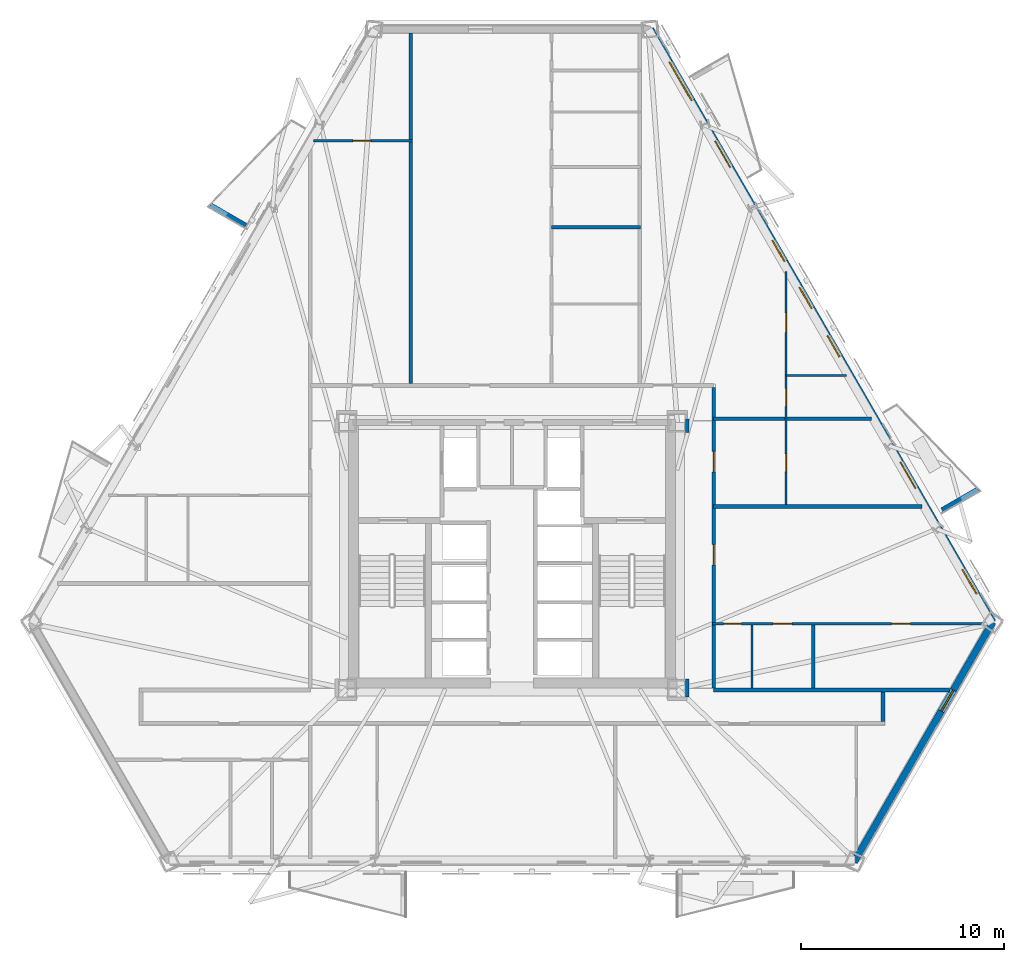
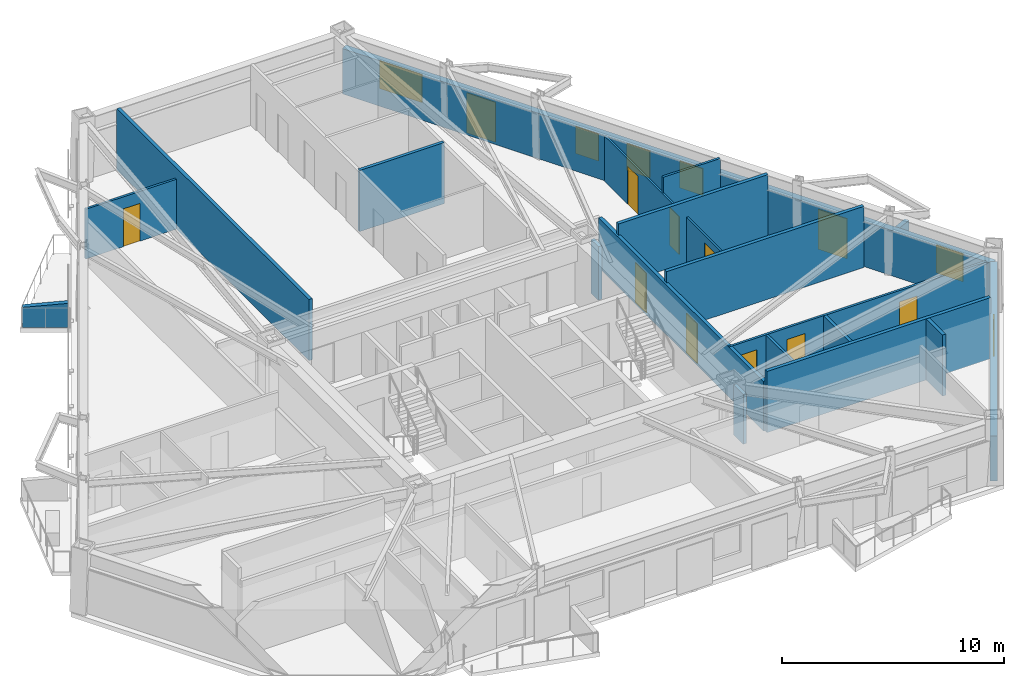
# One storey, part 5 of 10: 19 walls, 11 doors, 6 windows, 17 openings.
"""IFC4 building model written with IfcOpenShell, lengths in metres."""

from ifc_helpers import new_model, si_unit, direction, frame, frame_2d, origin, place, context, subcontext, project, spatial, polyline, rectangle, outline, extrude, material, layer, layer_set, type_object, element, fill, save


model = new_model("IFC4")

# Units and contexts
model_context = context("Model", 3, precision=1e-05, world=origin(), true_north=direction((0.0, 1.0)))
body_context = subcontext(model_context, "Body", "Model", "MODEL_VIEW")
ifc_project = project(units=[si_unit("LENGTHUNIT", "METRE"), si_unit("AREAUNIT", "SQUARE_METRE"), si_unit("VOLUMEUNIT", "CUBIC_METRE"), si_unit("PLANEANGLEUNIT", "RADIAN"), si_unit("MASSUNIT", "GRAM", prefix="KILO")], contexts=[model_context])

# Site, building, storey
site_placement = place(None, origin())
site = spatial("IfcSite", under=ifc_project, at=site_placement, CompositionType="ELEMENT")
building_placement = place(site_placement, origin())
building = spatial("IfcBuilding", under=site, at=building_placement, Name="Oramaril Tower", CompositionType="ELEMENT")
storey_placement = place(building_placement, frame((0.0, 0.0, 66.89990234375)))
storey = spatial("IfcBuildingStorey", under=building, at=storey_placement, Name="L17", CompositionType="ELEMENT", Elevation=66.89990234375)

# Wall, opening, window
ifc_material_1 = material(Name="Warm Cream Limestone", Category="masonry")
ifc_layer_1 = layer(ifc_material_1, 0.340087890625)
ifc_layer_set_1 = layer_set([ifc_layer_1], Name="WT-EXT34")
wall_type_1 = type_object("IfcWallType", Name="WT-EXT34", PredefinedType="SOLIDWALL", material=ifc_layer_set_1)
wall_1_placement = place(storey_placement, frame((54.3818359375, 2.4658203125, 0.0), z_axis=(0.0, 0.0, 1.0), x_axis=(0.499986980295, 0.866032920584, 0.0)))
wall_1 = element("IfcWall", 1, at=wall_1_placement, inside=storey, type_object=wall_type_1, Name="L17 Tower Limestone Facade Wall 3M", PredefinedType="SOLIDWALL", context=body_context, shape_type="SweptSolid", body=[
    extrude(rectangle(XDim=13.661376953125, YDim=0.340087890625, at=frame_2d((6.83056640625, 0.0))), origin(), (0.0, 0.0, 1.0), 2.494140625),
])
opening_1_placement = place(wall_1_placement, frame((8.5869140625, 0.0, 0.85009765625)))
opening_1 = element("IfcOpeningElement", 2, at=opening_1_placement, cuts=wall_1, Name="Opening WN-09", PredefinedType="OPENING", context=body_context, shape_type="SweptSolid", body=[
    extrude(rectangle(XDim=1.199951171875, YDim=1.47998046875, at=frame_2d((0.60009765625, 0.739990234375))), frame((0.0, 0.169921875, 0.0), z_axis=(0.0, -1.0, 0.0), x_axis=(1.0, 0.0, 0.0)), (0.0, 0.0, 1.0), 0.340087890625),
])
ifc_material_2 = material(Name="Coastal Low-E Insulated Glass", Category="glass")
window_type_1 = type_object("IfcWindowType", Name="WNT-09", PartitioningType="SINGLE_PANEL", PredefinedType="WINDOW", material=ifc_material_2)
window_1_placement = place(opening_1_placement, origin())
window_1 = element("IfcWindow", 3, at=window_1_placement, inside=storey, type_object=window_type_1, Name="L17 Apartment Bedroom Window WN-09", OverallHeight=1.47998046875, OverallWidth=1.199951171875, PartitioningType="SINGLE_PANEL", PredefinedType="WINDOW", context=body_context, shape_type="SweptSolid", body=[
    extrude(rectangle(XDim=1.199951171875, YDim=1.47998046875, at=frame_2d((0.60009765625, 0.739990234375))), frame((0.0, 0.030029296875, 0.0), z_axis=(0.0, -1.0, 0.0), x_axis=(1.0, 0.0, 0.0)), (0.0, 0.0, 1.0), 0.06005859375),
])
fill(opening_1, window_1)

# Wall, openings, doors, windows
wall_2_placement = place(storey_placement, frame((61.21240234375, 14.297119140625, 0.0), z_axis=(0.0, 0.0, 1.0), x_axis=(-0.499997235847, 0.866026999663, 0.0)))
wall_2 = element("IfcWall", 4, at=wall_2_placement, inside=storey, type_object=wall_type_1, Name="L17 Tower Limestone Facade Wall 4M", PredefinedType="SOLIDWALL", context=body_context, shape_type="SweptSolid", body=[
    extrude(rectangle(XDim=33.763427734375, YDim=0.340087890625, at=frame_2d((16.8818359375, 0.0))), origin(), (0.0, 0.0, 1.0), 2.494140625),
])
opening_2_placement = place(wall_2_placement, frame((7.614501953125, 0.0, 0.0)))
opening_2 = element("IfcOpeningElement", 5, at=opening_2_placement, cuts=wall_2, Name="Opening D-L17-BAL-NE1", PredefinedType="OPENING", context=body_context, shape_type="SweptSolid", body=[
    extrude(rectangle(XDim=1.5, YDim=2.199951171875, at=frame_2d((0.75, 1.10009765625))), frame((0.0, 0.169921875, 0.0), z_axis=(0.0, -1.0, 0.0), x_axis=(1.0, 0.0, 0.0)), (0.0, 0.0, 1.0), 0.340087890625),
])
opening_3_placement = place(wall_2_placement, frame((25.89404296875, 0.0, 0.0)))
opening_3 = element("IfcOpeningElement", 6, at=opening_3_placement, cuts=wall_2, Name="Opening D-L17-BAL-NE2", PredefinedType="OPENING", context=body_context, shape_type="SweptSolid", body=[
    extrude(rectangle(XDim=1.5, YDim=2.199951171875, at=frame_2d((0.75, 1.10009765625))), frame((0.0, 0.169921875, 0.0), z_axis=(0.0, -1.0, 0.0), x_axis=(1.0, 0.0, 0.0)), (0.0, 0.0, 1.0), 0.340087890625),
])
opening_4_placement = place(wall_2_placement, frame((1.594482421875, 0.0, 0.85009765625)))
opening_4 = element("IfcOpeningElement", 7, at=opening_4_placement, cuts=wall_2, Name="Opening WN-08", PredefinedType="OPENING", context=body_context, shape_type="SweptSolid", body=[
    extrude(rectangle(XDim=1.39990234375, YDim=1.533935546875, at=frame_2d((0.699951171875, 0.76708984375))), frame((0.0, 0.169921875, 0.0), z_axis=(0.0, -1.0, 0.0), x_axis=(1.0, 0.0, 0.0)), (0.0, 0.0, 1.0), 0.340087890625),
])
opening_5_placement = place(wall_2_placement, frame((20.532958984375, 0.0, 0.85009765625)))
opening_5 = element("IfcOpeningElement", 8, at=opening_5_placement, cuts=wall_2, Name="Opening WN-09", PredefinedType="OPENING", context=body_context, shape_type="SweptSolid", body=[
    extrude(rectangle(XDim=1.199951171875, YDim=1.47998046875, at=frame_2d((0.60009765625, 0.739990234375))), frame((0.0, 0.169921875, 0.0), z_axis=(0.0, -1.0, 0.0), x_axis=(1.0, 0.0, 0.0)), (0.0, 0.0, 1.0), 0.340087890625),
])
opening_6_placement = place(wall_2_placement, frame((29.7001953125, 0.0, 0.85009765625)))
opening_6 = element("IfcOpeningElement", 9, at=opening_6_placement, cuts=wall_2, Name="Opening WN-04", PredefinedType="OPENING", context=body_context, shape_type="SweptSolid", body=[
    extrude(rectangle(XDim=2.199951171875, YDim=1.533935546875, at=frame_2d((1.10009765625, 0.76708984375))), frame((0.0, 0.169921875, 0.0), z_axis=(0.0, -1.0, 0.0), x_axis=(1.0, 0.0, 0.0)), (0.0, 0.0, 1.0), 0.340087890625),
])
opening_7_placement = place(wall_2_placement, frame((15.1123046875, 0.0, 0.85009765625)))
opening_7 = element("IfcOpeningElement", 10, at=opening_7_placement, cuts=wall_2, Name="Opening WN-09", PredefinedType="OPENING", context=body_context, shape_type="SweptSolid", body=[
    extrude(rectangle(XDim=1.199951171875, YDim=1.47998046875, at=frame_2d((0.60009765625, 0.739990234375))), frame((0.0, 0.169921875, 0.0), z_axis=(0.0, -1.0, 0.0), x_axis=(1.0, 0.0, 0.0)), (0.0, 0.0, 1.0), 0.340087890625),
])
opening_8_placement = place(wall_2_placement, frame((17.864013671875, 0.0, 0.85009765625)))
opening_8 = element("IfcOpeningElement", 11, at=opening_8_placement, cuts=wall_2, Name="Opening WN-09", PredefinedType="OPENING", context=body_context, shape_type="SweptSolid", body=[
    extrude(rectangle(XDim=1.199951171875, YDim=1.47998046875, at=frame_2d((0.60009765625, 0.739990234375))), frame((0.0, 0.169921875, 0.0), z_axis=(0.0, -1.0, 0.0), x_axis=(1.0, 0.0, 0.0)), (0.0, 0.0, 1.0), 0.340087890625),
])
ifc_material_3 = material(Name="Anodised Aluminium 6063-T6", Category="aluminium")
door_type_1 = type_object("IfcDoorType", Name="DT-BAL", OperationType="NOTDEFINED", PredefinedType="DOOR", material=ifc_material_3)
door_1_placement = place(opening_2_placement, origin())
door_1 = element("IfcDoor", 12, at=door_1_placement, inside=storey, type_object=door_type_1, Name="L17 Balcony Glazed Door L17-BAL-NE1", OperationType="SINGLE_SWING_RIGHT", OverallHeight=2.199951171875, OverallWidth=1.5, PredefinedType="DOOR", context=body_context, shape_type="SweptSolid", body=[
    extrude(rectangle(XDim=1.5, YDim=2.199951171875, at=frame_2d((0.75, 1.10009765625))), frame((0.0, 0.02490234375, 0.0), z_axis=(0.0, -1.0, 0.0), x_axis=(1.0, 0.0, 0.0)), (0.0, 0.0, 1.0), 0.050048828125),
])
fill(opening_2, door_1)
door_2_placement = place(opening_3_placement, origin())
door_2 = element("IfcDoor", 13, at=door_2_placement, inside=storey, type_object=door_type_1, Name="L17 Balcony Glazed Door L17-BAL-NE2", OperationType="SINGLE_SWING_LEFT", OverallHeight=2.199951171875, OverallWidth=1.5, PredefinedType="DOOR", context=body_context, shape_type="SweptSolid", body=[
    extrude(rectangle(XDim=1.5, YDim=2.199951171875, at=frame_2d((0.75, 1.10009765625))), frame((0.0, 0.02490234375, 0.0), z_axis=(0.0, -1.0, 0.0), x_axis=(1.0, 0.0, 0.0)), (0.0, 0.0, 1.0), 0.050048828125),
])
fill(opening_3, door_2)
ifc_material_4 = material(Name="Coastal Low-E Insulated Glass", Category="glass")
window_type_2 = type_object("IfcWindowType", Name="WNT-04", PartitioningType="SINGLE_PANEL", PredefinedType="WINDOW", material=ifc_material_4)
window_2_placement = place(opening_6_placement, origin())
window_2 = element("IfcWindow", 14, at=window_2_placement, inside=storey, type_object=window_type_2, Name="L17 Chicago Bay Window WN-04", OverallHeight=1.533935546875, OverallWidth=2.199951171875, PartitioningType="SINGLE_PANEL", PredefinedType="WINDOW", context=body_context, shape_type="SweptSolid", body=[
    extrude(rectangle(XDim=2.199951171875, YDim=1.533935546875, at=frame_2d((1.10009765625, 0.76708984375))), frame((0.0, 0.030029296875, 0.0), z_axis=(0.0, -1.0, 0.0), x_axis=(1.0, 0.0, 0.0)), (0.0, 0.0, 1.0), 0.06005859375),
])
fill(opening_6, window_2)
ifc_material_5 = material(Name="Coastal Low-E Insulated Glass", Category="glass")
window_type_3 = type_object("IfcWindowType", Name="WNT-08", PartitioningType="SINGLE_PANEL", PredefinedType="WINDOW", material=ifc_material_5)
window_3_placement = place(opening_4_placement, origin())
window_3 = element("IfcWindow", 15, at=window_3_placement, inside=storey, type_object=window_type_3, Name="L17 Chicago Bay Window WN-08", OverallHeight=1.533935546875, OverallWidth=1.39990234375, PartitioningType="SINGLE_PANEL", PredefinedType="WINDOW", context=body_context, shape_type="SweptSolid", body=[
    extrude(rectangle(XDim=1.39990234375, YDim=1.533935546875, at=frame_2d((0.699951171875, 0.76708984375))), frame((0.0, 0.030029296875, 0.0), z_axis=(0.0, -1.0, 0.0), x_axis=(1.0, 0.0, 0.0)), (0.0, 0.0, 1.0), 0.06005859375),
])
fill(opening_4, window_3)
window_4_placement = place(opening_5_placement, origin())
window_4 = element("IfcWindow", 16, at=window_4_placement, inside=storey, type_object=window_type_1, Name="L17 Chicago Bay Window WN-09", OverallHeight=1.47998046875, OverallWidth=1.199951171875, PartitioningType="SINGLE_PANEL", PredefinedType="WINDOW", context=body_context, shape_type="SweptSolid", body=[
    extrude(rectangle(XDim=1.199951171875, YDim=1.47998046875, at=frame_2d((0.60009765625, 0.739990234375))), frame((0.0, 0.030029296875, 0.0), z_axis=(0.0, -1.0, 0.0), x_axis=(1.0, 0.0, 0.0)), (0.0, 0.0, 1.0), 0.06005859375),
])
fill(opening_5, window_4)
window_5_placement = place(opening_7_placement, origin())
window_5 = element("IfcWindow", 17, at=window_5_placement, inside=storey, type_object=window_type_1, Name="L17 Chicago Bay Window WN-09", OverallHeight=1.47998046875, OverallWidth=1.199951171875, PartitioningType="SINGLE_PANEL", PredefinedType="WINDOW", context=body_context, shape_type="SweptSolid", body=[
    extrude(rectangle(XDim=1.199951171875, YDim=1.47998046875, at=frame_2d((0.60009765625, 0.739990234375))), frame((0.0, 0.030029296875, 0.0), z_axis=(0.0, -1.0, 0.0), x_axis=(1.0, 0.0, 0.0)), (0.0, 0.0, 1.0), 0.06005859375),
])
fill(opening_7, window_5)
window_6_placement = place(opening_8_placement, origin())
window_6 = element("IfcWindow", 18, at=window_6_placement, inside=storey, type_object=window_type_1, Name="L17 Chicago Bay Window WN-09", OverallHeight=1.47998046875, OverallWidth=1.199951171875, PartitioningType="SINGLE_PANEL", PredefinedType="WINDOW", context=body_context, shape_type="SweptSolid", body=[
    extrude(rectangle(XDim=1.199951171875, YDim=1.47998046875, at=frame_2d((0.60009765625, 0.739990234375))), frame((0.0, 0.030029296875, 0.0), z_axis=(0.0, -1.0, 0.0), x_axis=(1.0, 0.0, 0.0)), (0.0, 0.0, 1.0), 0.06005859375),
])
fill(opening_8, window_6)

# Walls
ifc_material_6 = material(Name="Concrete C40/50", Category="concrete")
ifc_layer_2 = layer(ifc_material_6, 0.22998046875)
ifc_layer_set_2 = layer_set([ifc_layer_2], Name="WT-PRP23")
wall_type_2 = type_object("IfcWallType", Name="WT-PRP23", PredefinedType="PARAPET", material=ifc_layer_set_2)
for number, where, z_axis, x_axis, name in (
    (19, (58.710693359375, 19.826416015625, 0.0), (0.0, 0.0, 1.0), (0.866012356593, 0.500022597718, 0.0), "L17 Trapezoidal Balcony Frame Cheek L17-BAL-NE1-L"),
    (20, (24.38671875, 33.851318359375, 0.0), (0.0, 0.0, 1.0), (-0.866012356593, 0.500022597718, 0.0), "L17 Trapezoidal Balcony Frame Cheek L17-BAL-NW1-R"),
):
    element("IfcWall", number, at=place(storey_placement, frame(where, z_axis=z_axis, x_axis=x_axis)), inside=storey, type_object=wall_type_2, Name=name, PredefinedType="PARAPET", context=body_context, shape_type="SweptSolid", body=[
        extrude(outline(polyline([(0.0, 0.0), (2.0419921875, 0.0), (2.0419921875, 1.10009765625), (0.0, 1.320068359375), (0.0, 0.0)])), frame((0.0, 0.114990234375, 0.0), z_axis=(0.0, -1.0, 0.0), x_axis=(1.0, 0.0, 0.0)), (0.0, 0.0, 1.0), 0.22998046875),
    ])

# Wall, openings, doors
ifc_material_7 = material(Name="Acoustic Gypsum Board Partition")
ifc_layer_3 = layer(ifc_material_7, 0.10009765625)
ifc_layer_set_3 = layer_set([ifc_layer_3], Name="WT-PT10")
wall_type_3 = type_object("IfcWallType", Name="WT-PT10", PredefinedType="PARTITIONING", material=ifc_layer_set_3)
wall_3_placement = place(storey_placement, frame((51.02001953125, 20.093994140625, 0.0), z_axis=(0.0, 0.0, 1.0), x_axis=(0.0, 1.0, 0.0)))
wall_3 = element("IfcWall", 21, at=wall_3_placement, inside=storey, type_object=wall_type_3, Name="L17 Interior Partition PT-10", PredefinedType="PARTITIONING", context=body_context, shape_type="SweptSolid", body=[
    extrude(rectangle(XDim=11.5087890625, YDim=0.10009765625, at=frame_2d((5.75439453125, 0.0))), origin(), (0.0, 0.0, 1.0), 2.494140625),
])
opening_9_placement = place(wall_3_placement, frame((4.841064453125, 0.0, 0.0)))
opening_9 = element("IfcOpeningElement", 22, at=opening_9_placement, cuts=wall_3, Name="Opening D-L17-27", PredefinedType="OPENING", context=body_context, shape_type="SweptSolid", body=[
    extrude(rectangle(XDim=0.8798828125, YDim=2.080078125, at=frame_2d((0.43994140625, 1.0400390625))), frame((0.0, 0.050048828125, 0.0), z_axis=(0.0, -1.0, 0.0), x_axis=(1.0, 0.0, 0.0)), (0.0, 0.0, 1.0), 0.10009765625),
])
opening_10_placement = place(wall_3_placement, frame((8.49951171875, 0.0, 0.0)))
opening_10 = element("IfcOpeningElement", 23, at=opening_10_placement, cuts=wall_3, Name="Opening D-L17-28", PredefinedType="OPENING", context=body_context, shape_type="SweptSolid", body=[
    extrude(rectangle(XDim=0.949951171875, YDim=2.10009765625, at=frame_2d((0.47509765625, 1.050048828125))), frame((0.0, 0.050048828125, 0.0), z_axis=(0.0, -1.0, 0.0), x_axis=(1.0, 0.0, 0.0)), (0.0, 0.0, 1.0), 0.10009765625),
])
opening_11_placement = place(wall_3_placement, frame((1.6259765625, 0.0, 0.0)))
opening_11 = element("IfcOpeningElement", 24, at=opening_11_placement, cuts=wall_3, Name="Opening D-L17-29", PredefinedType="OPENING", context=body_context, shape_type="SweptSolid", body=[
    extrude(rectangle(XDim=0.8798828125, YDim=2.080078125, at=frame_2d((0.43994140625, 1.0400390625))), frame((0.0, 0.050048828125, 0.0), z_axis=(0.0, -1.0, 0.0), x_axis=(1.0, 0.0, 0.0)), (0.0, 0.0, 1.0), 0.10009765625),
])
ifc_material_8 = material(Name="FSC Brazilian Freijo Hardwood", Category="wood")
door_type_2 = type_object("IfcDoorType", Name="DT-BATH", OperationType="NOTDEFINED", PredefinedType="DOOR", material=ifc_material_8)
door_3_placement = place(opening_9_placement, origin())
door_3 = element("IfcDoor", 25, at=door_3_placement, inside=storey, type_object=door_type_2, Name="L17 Flat L17-U9 Bathroom Door D-L17-27", OperationType="SINGLE_SWING_RIGHT", OverallHeight=2.080078125, OverallWidth=0.8798828125, PredefinedType="DOOR", context=body_context, shape_type="SweptSolid", body=[
    extrude(rectangle(XDim=0.8798828125, YDim=2.080078125, at=frame_2d((0.43994140625, 1.0400390625))), frame((0.0, 0.02490234375, 0.0), z_axis=(0.0, -1.0, 0.0), x_axis=(1.0, 0.0, 0.0)), (0.0, 0.0, 1.0), 0.050048828125),
])
fill(opening_9, door_3)
door_4_placement = place(opening_11_placement, origin())
door_4 = element("IfcDoor", 26, at=door_4_placement, inside=storey, type_object=door_type_2, Name="L17 Flat L17-U6 Bathroom Door D-L17-29", OperationType="SINGLE_SWING_RIGHT", OverallHeight=2.080078125, OverallWidth=0.8798828125, PredefinedType="DOOR", context=body_context, shape_type="SweptSolid", body=[
    extrude(rectangle(XDim=0.8798828125, YDim=2.080078125, at=frame_2d((0.43994140625, 1.0400390625))), frame((0.0, 0.02490234375, 0.0), z_axis=(0.0, -1.0, 0.0), x_axis=(1.0, 0.0, 0.0)), (0.0, 0.0, 1.0), 0.050048828125),
])
fill(opening_11, door_4)
ifc_material_9 = material(Name="FSC Brazilian Freijo Hardwood", Category="wood")
door_type_3 = type_object("IfcDoorType", Name="DT-STDY", OperationType="NOTDEFINED", PredefinedType="DOOR", material=ifc_material_9)
door_5_placement = place(opening_10_placement, origin())
door_5 = element("IfcDoor", 27, at=door_5_placement, inside=storey, type_object=door_type_3, Name="L17 Flat L17-U9 Kitchen Door D-L17-28", OperationType="SINGLE_SWING_LEFT", OverallHeight=2.10009765625, OverallWidth=0.949951171875, PredefinedType="DOOR", context=body_context, shape_type="SweptSolid", body=[
    extrude(rectangle(XDim=0.949951171875, YDim=2.10009765625, at=frame_2d((0.47509765625, 1.050048828125))), frame((0.0, 0.02490234375, 0.0), z_axis=(0.0, -1.0, 0.0), x_axis=(1.0, 0.0, 0.0)), (0.0, 0.0, 1.0), 0.050048828125),
])
fill(opening_10, door_5)

ifc_material_10 = material(Name="Acoustic Gypsum Board Partition")
ifc_layer_4 = layer(ifc_material_10, 0.1201171875)
ifc_layer_set_4 = layer_set([ifc_layer_4], Name="WT-PT12")
wall_type_4 = type_object("IfcWallType", Name="WT-PT12", PredefinedType="PARTITIONING", material=ifc_layer_set_4)
wall_4_placement = place(storey_placement, frame((47.39990234375, 14.2099609375, 0.0), z_axis=(0.0, 0.0, 1.0), x_axis=(1.0, 0.0, 0.0)))
wall_4 = element("IfcWall", 28, at=wall_4_placement, inside=storey, type_object=wall_type_4, Name="L17 Interior Partition PT-12", PredefinedType="PARTITIONING", context=body_context, shape_type="SweptSolid", body=[
    extrude(rectangle(XDim=13.36767578125, YDim=0.1201171875, at=frame_2d((6.683837890625, 0.0))), origin(), (0.0, 0.0, 1.0), 2.738037109375),
])
opening_12_placement = place(wall_4_placement, frame((0.5400390625, 0.0, 0.0)))
opening_12 = element("IfcOpeningElement", 29, at=opening_12_placement, cuts=wall_4, Name="Opening D-L17-07", PredefinedType="OPENING", context=body_context, shape_type="SweptSolid", body=[
    extrude(rectangle(XDim=0.8798828125, YDim=2.080078125, at=frame_2d((0.43994140625, 1.0400390625))), frame((0.0, 0.06005859375, 0.0), z_axis=(0.0, -1.0, 0.0), x_axis=(1.0, 0.0, 0.0)), (0.0, 0.0, 1.0), 0.1201171875),
])
opening_13_placement = place(wall_4_placement, frame((2.97412109375, 0.0, 0.0)))
opening_13 = element("IfcOpeningElement", 30, at=opening_13_placement, cuts=wall_4, Name="Opening D-L17-08", PredefinedType="OPENING", context=body_context, shape_type="SweptSolid", body=[
    extrude(rectangle(XDim=0.949951171875, YDim=2.10009765625, at=frame_2d((0.47509765625, 1.050048828125))), frame((0.0, 0.06005859375, 0.0), z_axis=(0.0, -1.0, 0.0), x_axis=(1.0, 0.0, 0.0)), (0.0, 0.0, 1.0), 0.1201171875),
])
opening_14_placement = place(wall_4_placement, frame((8.828125, 0.0, 0.0)))
opening_14 = element("IfcOpeningElement", 31, at=opening_14_placement, cuts=wall_4, Name="Opening D-L17-09", PredefinedType="OPENING", context=body_context, shape_type="SweptSolid", body=[
    extrude(rectangle(XDim=0.919921875, YDim=2.1201171875, at=frame_2d((0.4599609375, 1.06005859375))), frame((0.0, 0.06005859375, 0.0), z_axis=(0.0, -1.0, 0.0), x_axis=(1.0, 0.0, 0.0)), (0.0, 0.0, 1.0), 0.1201171875),
])
door_6_placement = place(opening_12_placement, origin())
door_6 = element("IfcDoor", 32, at=door_6_placement, inside=storey, type_object=door_type_2, Name="L17 Flat L17-U5 Bathroom Door D-L17-07", OperationType="SINGLE_SWING_RIGHT", OverallHeight=2.080078125, OverallWidth=0.8798828125, PredefinedType="DOOR", context=body_context, shape_type="SweptSolid", body=[
    extrude(rectangle(XDim=0.8798828125, YDim=2.080078125, at=frame_2d((0.43994140625, 1.0400390625))), frame((0.0, 0.02490234375, 0.0), z_axis=(0.0, -1.0, 0.0), x_axis=(1.0, 0.0, 0.0)), (0.0, 0.0, 1.0), 0.050048828125),
])
fill(opening_12, door_6)
ifc_material_11 = material(Name="FSC Brazilian Freijo Hardwood", Category="wood")
door_type_4 = type_object("IfcDoorType", Name="DT-BED", OperationType="NOTDEFINED", PredefinedType="DOOR", material=ifc_material_11)
door_7_placement = place(opening_14_placement, origin())
door_7 = element("IfcDoor", 33, at=door_7_placement, inside=storey, type_object=door_type_4, Name="L17 Flat L17-U5 Master Bedroom Door D-L17-09", OperationType="SINGLE_SWING_RIGHT", OverallHeight=2.1201171875, OverallWidth=0.919921875, PredefinedType="DOOR", context=body_context, shape_type="SweptSolid", body=[
    extrude(rectangle(XDim=0.919921875, YDim=2.1201171875, at=frame_2d((0.4599609375, 1.06005859375))), frame((0.0, 0.02490234375, 0.0), z_axis=(0.0, -1.0, 0.0), x_axis=(1.0, 0.0, 0.0)), (0.0, 0.0, 1.0), 0.050048828125),
])
fill(opening_14, door_7)
door_8_placement = place(opening_13_placement, origin())
door_8 = element("IfcDoor", 34, at=door_8_placement, inside=storey, type_object=door_type_3, Name="L17 Flat L17-U5 Kitchen Door D-L17-08", OperationType="SINGLE_SWING_LEFT", OverallHeight=2.10009765625, OverallWidth=0.949951171875, PredefinedType="DOOR", context=body_context, shape_type="SweptSolid", body=[
    extrude(rectangle(XDim=0.949951171875, YDim=2.10009765625, at=frame_2d((0.47509765625, 1.050048828125))), frame((0.0, 0.02490234375, 0.0), z_axis=(0.0, -1.0, 0.0), x_axis=(1.0, 0.0, 0.0)), (0.0, 0.0, 1.0), 0.050048828125),
])
fill(opening_13, door_8)

# Wall
wall_5_placement = place(storey_placement, frame((51.0224609375, 26.4599609375, 0.0), z_axis=(0.0, 0.0, 1.0), x_axis=(1.0, 0.0, 0.0)))
element("IfcWall", 35, at=wall_5_placement, inside=storey, type_object=wall_type_4, Name="L17 Interior Partition PT-12", PredefinedType="PARTITIONING", context=body_context, shape_type="SweptSolid", body=[
    extrude(rectangle(XDim=2.966796875, YDim=0.1201171875, at=frame_2d((1.4833984375, 0.0))), origin(), (0.0, 0.0, 1.0), 3.360107421875),
])

# Wall, opening, door
wall_6_placement = place(storey_placement, frame((27.7021484375, 38.050048828125, 0.0), z_axis=(0.0, 0.0, 1.0), x_axis=(1.0, 0.0, 0.0)))
wall_6 = element("IfcWall", 36, at=wall_6_placement, inside=storey, type_object=wall_type_4, Name="L17 Interior Partition PT-12", PredefinedType="PARTITIONING", context=body_context, shape_type="SweptSolid", body=[
    extrude(rectangle(XDim=4.8798828125, YDim=0.1201171875, at=frame_2d((2.43994140625, 0.0))), origin(), (0.0, 0.0, 1.0), 2.738037109375),
])
opening_15_placement = place(wall_6_placement, frame((1.94384765625, 0.0, 0.0)))
opening_15 = element("IfcOpeningElement", 37, at=opening_15_placement, cuts=wall_6, Name="Opening D-L17-16", PredefinedType="OPENING", context=body_context, shape_type="SweptSolid", body=[
    extrude(rectangle(XDim=0.8798828125, YDim=2.080078125, at=frame_2d((0.43994140625, 1.0400390625))), frame((0.0, 0.06005859375, 0.0), z_axis=(0.0, -1.0, 0.0), x_axis=(1.0, 0.0, 0.0)), (0.0, 0.0, 1.0), 0.1201171875),
])
door_9_placement = place(opening_15_placement, origin())
door_9 = element("IfcDoor", 38, at=door_9_placement, inside=storey, type_object=door_type_2, Name="L17 Flat L17-U7 Bathroom Door D-L17-16", OperationType="SINGLE_SWING_LEFT", OverallHeight=2.080078125, OverallWidth=0.8798828125, PredefinedType="DOOR", context=body_context, shape_type="SweptSolid", body=[
    extrude(rectangle(XDim=0.8798828125, YDim=2.080078125, at=frame_2d((0.43994140625, 1.0400390625))), frame((0.0, 0.02490234375, 0.0), z_axis=(0.0, -1.0, 0.0), x_axis=(1.0, 0.0, 0.0)), (0.0, 0.0, 1.0), 0.050048828125),
])
fill(opening_15, door_9)

# Walls
wall_7_placement = place(storey_placement, frame((49.340087890625, 11.0439453125, 0.0), z_axis=(0.0, 0.0, 1.0), x_axis=(0.0, 1.0, 0.0)))
element("IfcWall", 39, at=wall_7_placement, inside=storey, type_object=wall_type_4, Name="L17 Interior Partition PT-12", PredefinedType="PARTITIONING", context=body_context, shape_type="SweptSolid", body=[
    extrude(rectangle(XDim=3.10205078125, YDim=0.1201171875, at=frame_2d((1.551025390625, 0.0))), origin(), (0.0, 0.0, 1.0), 2.738037109375),
])
ifc_material_12 = material(Name="Acoustic Gypsum Board Partition")
ifc_layer_5 = layer(ifc_material_12, 0.159912109375)
ifc_layer_set_5 = layer_set([ifc_layer_5], Name="WT-PT16")
wall_type_5 = type_object("IfcWallType", Name="WT-PT16", PredefinedType="PARTITIONING", material=ifc_layer_set_5)
wall_8_placement = place(storey_placement, frame((39.449951171875, 33.77001953125, 0.0), z_axis=(0.0, 0.0, 1.0), x_axis=(1.0, 0.0, 0.0)))
element("IfcWall", 40, at=wall_8_placement, inside=storey, type_object=wall_type_5, Name="L17 Interior Partition PT-16", PredefinedType="PARTITIONING", context=body_context, shape_type="SweptSolid", body=[
    extrude(rectangle(XDim=4.400146484375, YDim=0.159912109375, at=frame_2d((2.2001953125, 0.0))), origin(), (0.0, 0.0, 1.0), 3.360107421875),
])
wall_9_placement = place(storey_placement, frame((52.360107421875, 11.0439453125, 0.0), z_axis=(0.0, 0.0, 1.0), x_axis=(0.0, 1.0, 0.0)))
element("IfcWall", 41, at=wall_9_placement, inside=storey, type_object=wall_type_5, Name="L17 Interior Partition PT-16", PredefinedType="PARTITIONING", context=body_context, shape_type="SweptSolid", body=[
    extrude(rectangle(XDim=3.10205078125, YDim=0.159912109375, at=frame_2d((1.551025390625, 0.0))), origin(), (0.0, 0.0, 1.0), 2.738037109375),
])
ifc_material_13 = material(Name="Autoclaved Cellular Concrete Block", Category="concrete")
ifc_layer_6 = layer(ifc_material_13, 0.179931640625)
ifc_layer_set_6 = layer_set([ifc_layer_6], Name="WT-PT18")
wall_type_6 = type_object("IfcWallType", Name="WT-PT18", PredefinedType="PARTITIONING", material=ifc_layer_set_6)
wall_10_placement = place(storey_placement, frame((47.449951171875, 10.949951171875, 0.0), z_axis=(0.0, 0.0, 1.0), x_axis=(1.0, 0.0, 0.0)))
element("IfcWall", 42, at=wall_10_placement, inside=storey, type_object=wall_type_6, Name="L17 Interior Partition PT-18", PredefinedType="PARTITIONING", context=body_context, shape_type="SweptSolid", body=[
    extrude(rectangle(XDim=11.629150390625, YDim=0.179931640625, at=frame_2d((5.814453125, 0.0))), origin(), (0.0, 0.0, 1.0), 3.360107421875),
])
wall_11_placement = place(storey_placement, frame((47.449951171875, 20.0, 0.0), z_axis=(0.0, 0.0, 1.0), x_axis=(1.0, 0.0, 0.0)))
element("IfcWall", 43, at=wall_11_placement, inside=storey, type_object=wall_type_6, Name="L17 Interior Partition PT-18", PredefinedType="PARTITIONING", context=body_context, shape_type="SweptSolid", body=[
    extrude(rectangle(XDim=10.26904296875, YDim=0.179931640625, at=frame_2d((5.134521484375, 0.0))), origin(), (0.0, 0.0, 1.0), 3.360107421875),
])
wall_12_placement = place(storey_placement, frame((47.449951171875, 24.320068359375, 0.0), z_axis=(0.0, 0.0, 1.0), x_axis=(1.0, 0.0, 0.0)))
element("IfcWall", 44, at=wall_12_placement, inside=storey, type_object=wall_type_6, Name="L17 Interior Partition PT-18", PredefinedType="PARTITIONING", context=body_context, shape_type="SweptSolid", body=[
    extrude(rectangle(XDim=7.77490234375, YDim=0.179931640625, at=frame_2d((3.887451171875, 0.0))), origin(), (0.0, 0.0, 1.0), 3.360107421875),
])
wall_13_placement = place(storey_placement, frame((32.5, 26.06396484375, 0.0), z_axis=(0.0, 0.0, 1.0), x_axis=(0.0, 1.0, 0.0)))
element("IfcWall", 45, at=wall_13_placement, inside=storey, type_object=wall_type_6, Name="L17 Interior Partition PT-18", PredefinedType="PARTITIONING", context=body_context, shape_type="SweptSolid", body=[
    extrude(rectangle(XDim=17.299072265625, YDim=0.179931640625, at=frame_2d((8.6494140625, 0.0))), origin(), (0.0, 0.0, 1.0), 3.360107421875),
])
wall_14_placement = place(storey_placement, frame((46.14990234375, 10.60400390625, 0.0), z_axis=(0.0, 0.0, 1.0), x_axis=(0.0, 1.0, 0.0)))
element("IfcWall", 46, at=wall_14_placement, inside=storey, type_object=wall_type_6, Name="L17 Interior Partition PT-18", PredefinedType="PARTITIONING", context=body_context, shape_type="SweptSolid", body=[
    extrude(rectangle(XDim=0.89111328125, YDim=0.179931640625, at=frame_2d((0.445556640625, 0.0))), origin(), (0.0, 0.0, 1.0), 2.738037109375),
])
wall_15_placement = place(storey_placement, frame((46.14990234375, 23.655029296875, 0.0), z_axis=(0.0, 0.0, 1.0), x_axis=(0.0, 1.0, 0.0)))
element("IfcWall", 47, at=wall_15_placement, inside=storey, type_object=wall_type_6, Name="L17 Interior Partition PT-18", PredefinedType="PARTITIONING", context=body_context, shape_type="SweptSolid", body=[
    extrude(rectangle(XDim=0.6650390625, YDim=0.179931640625, at=frame_2d((0.33251953125, 0.0))), origin(), (0.0, 0.0, 1.0), 2.946044921875),
])

# Wall, openings, doors
wall_16_placement = place(storey_placement, frame((47.449951171875, 11.0439453125, 0.0), z_axis=(0.0, 0.0, 1.0), x_axis=(0.0, 1.0, 0.0)))
wall_16 = element("IfcWall", 48, at=wall_16_placement, inside=storey, type_object=wall_type_6, Name="L17 Interior Partition PT-18", PredefinedType="PARTITIONING", context=body_context, shape_type="SweptSolid", body=[
    extrude(rectangle(XDim=14.83203125, YDim=0.179931640625, at=frame_2d((7.416015625, 0.0))), origin(), (0.0, 0.0, 1.0), 2.738037109375),
])
opening_16_placement = place(wall_16_placement, frame((6.078857421875, 0.0, 0.0)))
opening_16 = element("IfcOpeningElement", 49, at=opening_16_placement, cuts=wall_16, Name="Opening D-L17-25", PredefinedType="OPENING", context=body_context, shape_type="SweptSolid", body=[
    extrude(rectangle(XDim=1.0, YDim=2.179931640625, at=frame_2d((0.5, 1.08984375))), frame((0.0, 0.08984375, 0.0), z_axis=(0.0, -1.0, 0.0), x_axis=(1.0, 0.0, 0.0)), (0.0, 0.0, 1.0), 0.179931640625),
])
opening_17_placement = place(wall_16_placement, frame((10.66845703125, 0.0, 0.0)))
opening_17 = element("IfcOpeningElement", 50, at=opening_17_placement, cuts=wall_16, Name="Opening D-L17-26", PredefinedType="OPENING", context=body_context, shape_type="SweptSolid", body=[
    extrude(rectangle(XDim=1.0, YDim=2.179931640625, at=frame_2d((0.5, 1.08984375))), frame((0.0, 0.08984375, 0.0), z_axis=(0.0, -1.0, 0.0), x_axis=(1.0, 0.0, 0.0)), (0.0, 0.0, 1.0), 0.179931640625),
])
ifc_material_14 = material(Name="FSC Brazilian Freijo Hardwood", Category="wood")
door_type_5 = type_object("IfcDoorType", Name="DT-APT", OperationType="NOTDEFINED", PredefinedType="DOOR", material=ifc_material_14)
door_10_placement = place(opening_16_placement, origin())
door_10 = element("IfcDoor", 51, at=door_10_placement, inside=storey, type_object=door_type_5, Name="L17 Flat L17-U5 Penthouse Living and Dining Room Door D-L17-25", OperationType="SINGLE_SWING_RIGHT", OverallHeight=2.179931640625, OverallWidth=1.0, PredefinedType="DOOR", context=body_context, shape_type="SweptSolid", body=[
    extrude(rectangle(XDim=1.0, YDim=2.179931640625, at=frame_2d((0.5, 1.08984375))), frame((0.0, 0.02490234375, 0.0), z_axis=(0.0, -1.0, 0.0), x_axis=(1.0, 0.0, 0.0)), (0.0, 0.0, 1.0), 0.050048828125),
])
fill(opening_16, door_10)
door_11_placement = place(opening_17_placement, origin())
door_11 = element("IfcDoor", 52, at=door_11_placement, inside=storey, type_object=door_type_5, Name="L17 Flat L17-U6 Kitchen and Studio Apartment Door D-L17-26", OperationType="SINGLE_SWING_LEFT", OverallHeight=2.179931640625, OverallWidth=1.0, PredefinedType="DOOR", context=body_context, shape_type="SweptSolid", body=[
    extrude(rectangle(XDim=1.0, YDim=2.179931640625, at=frame_2d((0.5, 1.08984375))), frame((0.0, 0.02490234375, 0.0), z_axis=(0.0, -1.0, 0.0), x_axis=(1.0, 0.0, 0.0)), (0.0, 0.0, 1.0), 0.050048828125),
])
fill(opening_17, door_11)

# Wall
wall_17_placement = place(storey_placement, frame((55.800048828125, 9.39404296875, 0.0), z_axis=(0.0, 0.0, 1.0), x_axis=(0.0, 1.0, 0.0)))
element("IfcWall", 53, at=wall_17_placement, inside=storey, type_object=wall_type_6, Name="L17 Interior Partition PT-18", PredefinedType="PARTITIONING", context=body_context, shape_type="SweptSolid", body=[
    extrude(rectangle(XDim=1.4619140625, YDim=0.179931640625, at=frame_2d((0.73095703125, 0.0))), origin(), (0.0, 0.0, 1.0), 3.360107421875),
])

save(model, "model.ifc")
